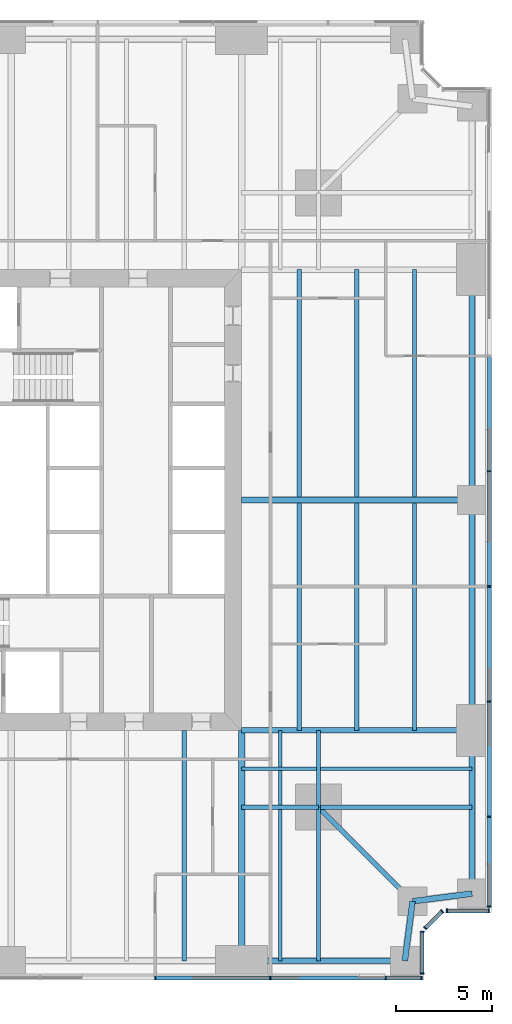
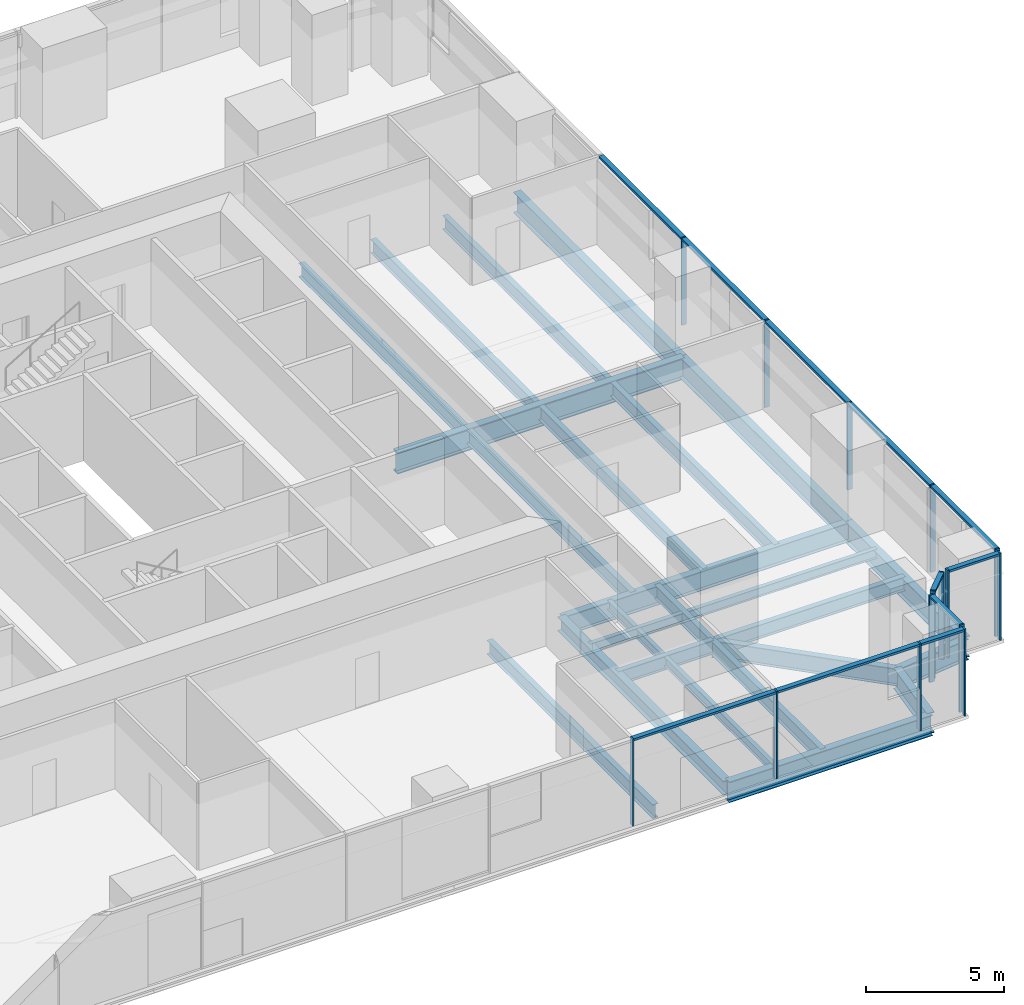
# One storey, part 5 of 13: 26 beams, 26 members, 5 elements without a shape of their own.
"""IFC4 building model written with IfcOpenShell, lengths in metres."""

import ifcopenshell
import ifcopenshell.guid

model = None  # the IFC model being written
_history = None  # IfcOwnerHistory: only IFC2X3 demands one
_inside = {}  # id of a spatial element -> (the spatial element, [elements in it])
_under = {}  # id of a project, library or spatial element -> (it, [spatial elements below it])
_declared = {}  # id of a project -> (the project, [libraries it declares])
_typed = {}  # id of a type object -> (the type object, [elements of that type])
_made_of = {}  # id of a material, layer set ... -> (it, [elements and type objects made of it])


def new_model(schema):
    """Start an empty IFC model of exactly this schema.

    Asked for "IFC4X3", IfcOpenShell would pick the latest addendum, in which some entities
    have other attributes; the version numbers below select the first issue.
    IFC2X3 requires an IfcOwnerHistory on every rooted entity: one is made here for all.
    """
    global model, _history
    if schema == "IFC4X3":
        model = ifcopenshell.file(schema_version=(4, 3, 0, 0))
    else:
        model = ifcopenshell.file(schema=schema)
    _inside.clear()
    _under.clear()
    _declared.clear()
    _typed.clear()
    _made_of.clear()
    _history = None
    if model.schema == "IFC2X3":
        org = make("IfcOrganization", Name="unknown")
        user = make(
            "IfcPersonAndOrganization",
            ThePerson=make("IfcPerson", FamilyName="unknown"),
            TheOrganization=org,
        )
        app = make(
            "IfcApplication",
            ApplicationDeveloper=org,
            Version="unknown",
            ApplicationFullName="unknown",
            ApplicationIdentifier="unknown",
        )
        _history = make(
            "IfcOwnerHistory",
            OwningUser=user,
            OwningApplication=app,
            ChangeAction="ADDED",
            CreationDate=0,
        )
    return model


def make(cls, **values):
    """One entity of the class cls with the attributes given. An attribute that is None is left unset."""
    return model.create_entity(
        cls, **{name: value for name, value in values.items() if value is not None}
    )


def rooted(cls, **values):
    """An entity with a GlobalId (a new one), such as an element, a storey or a relation."""
    return make(cls, GlobalId=ifcopenshell.guid.new(), OwnerHistory=_history, **values)


def si_unit(unit_type, name, prefix=None):
    """IfcSIUnit, for example si_unit("LENGTHUNIT", "METRE", prefix="MILLI")."""
    return make("IfcSIUnit", UnitType=unit_type, Prefix=prefix, Name=name)


def assignment(units):
    """IfcUnitAssignment: the units of a project."""
    return None if units is None else make("IfcUnitAssignment", Units=units)


def point(xyz):
    """IfcCartesianPoint."""
    return None if xyz is None else make("IfcCartesianPoint", Coordinates=xyz)


def direction(xyz):
    """IfcDirection."""
    return None if xyz is None else make("IfcDirection", DirectionRatios=xyz)


def frame(location, z_axis=None, x_axis=None):
    """IfcAxis2Placement3D, a coordinate frame: its origin and axes. An axis left out is left unset."""
    return make(
        "IfcAxis2Placement3D",
        Location=point(location),
        Axis=direction(z_axis),
        RefDirection=direction(x_axis),
    )


def frame_2d(location, x_axis=None):
    """IfcAxis2Placement2D, a coordinate frame in the plane: its origin and x axis."""
    return make(
        "IfcAxis2Placement2D", Location=point(location), RefDirection=direction(x_axis)
    )


def origin():
    """The frame at (0, 0, 0) with its axes left unset."""
    return frame((0.0, 0.0, 0.0))


def origin_2d():
    """The frame at (0, 0) in the plane with its x axis left unset."""
    return frame_2d((0.0, 0.0))


def place(relative_to, where):
    """IfcLocalPlacement: puts the frame where relative to a parent placement (None: the world)."""
    return make(
        "IfcLocalPlacement", PlacementRelTo=relative_to, RelativePlacement=where
    )


def context(
    kind, dimensions, precision=None, world=None, true_north=None, identifier=None
):
    """IfcGeometricRepresentationContext, for example the 3D "Model" context."""
    return make(
        "IfcGeometricRepresentationContext",
        ContextIdentifier=identifier,
        ContextType=kind,
        CoordinateSpaceDimension=dimensions,
        Precision=precision,
        WorldCoordinateSystem=world,
        TrueNorth=true_north,
    )


def subcontext(parent, identifier, kind, view, scale=None):
    """IfcGeometricRepresentationSubContext, for example "Body" below "Model"."""
    return make(
        "IfcGeometricRepresentationSubContext",
        ContextIdentifier=identifier,
        ContextType=kind,
        ParentContext=parent,
        TargetScale=scale,
        TargetView=view,
    )


def project(units=None, contexts=None):
    """IfcProject with its units and contexts."""
    return rooted(
        "IfcProject",
        Name="project",
        RepresentationContexts=contexts,
        UnitsInContext=assignment(units),
    )


def spatial(cls, under=None, at=None, **own):
    """A site, building, storey or space (cls), placed at a placement, below another one or the project."""
    s = rooted(cls, ObjectPlacement=at, **own)
    if under is not None:
        _under.setdefault(under.id(), (under, []))[1].append(s)
    return s


def profile(cls, at=None, kind="AREA", **sizes):
    """A parametric profile (cls). Its sizes go by their IFC names, for example OverallWidth=200.0."""
    return make(cls, ProfileType=kind, Position=at, **sizes)


def rectangle(**sizes):
    """IfcRectangleProfileDef."""
    return profile("IfcRectangleProfileDef", **sizes)


def i_section(**sizes):
    """IfcIShapeProfileDef."""
    return profile("IfcIShapeProfileDef", **sizes)


def extrude(swept, where, along, depth):
    """IfcExtrudedAreaSolid: the profile swept, set in the frame where, extruded along a direction by depth."""
    return make(
        "IfcExtrudedAreaSolid",
        SweptArea=swept,
        Position=where,
        ExtrudedDirection=direction(along),
        Depth=depth,
    )


def shape(context_of_items, identifier, shape_type, items):
    """IfcShapeRepresentation: the items that make up one representation, for example the "Body"."""
    return make(
        "IfcShapeRepresentation",
        ContextOfItems=context_of_items,
        RepresentationIdentifier=identifier,
        RepresentationType=shape_type,
        Items=items,
    )


def material(Name=None, Category=None):
    """IfcMaterial."""
    return make("IfcMaterial", Name=Name, Category=Category)


def material_profile(
    of_material, cross_section, Name=None, Category=None, Priority=None
):
    """IfcMaterialProfile: a cross section and its material."""
    return make(
        "IfcMaterialProfile",
        Name=Name,
        Material=of_material,
        Profile=cross_section,
        Priority=Priority,
        Category=Category,
    )


def profile_set(profiles, Name=None, composite=None):
    """IfcMaterialProfileSet."""
    return make(
        "IfcMaterialProfileSet",
        Name=Name,
        MaterialProfiles=profiles,
        CompositeProfile=composite,
    )


def made_of(thing, what):
    """Note that an element or type object is made of a material, layer set ...; save() writes the relation."""
    if what is not None:
        _made_of.setdefault(what.id(), (what, []))[1].append(thing)
    return thing


def type_object(cls, material=None, **own):
    """A type object (cls), such as IfcWallType, which elements share."""
    return made_of(rooted(cls, **own), material)


def element(
    cls,
    number,
    at=None,
    inside=None,
    cuts=None,
    type_object=None,
    material=None,
    context=None,
    identifier="Body",
    shape_type=None,
    held_by="IfcProductDefinitionShape",
    body=None,
    shapes=None,
    **own,
):
    """One element of the class cls, such as IfcWall. Its Tag is "e" and its number.

    at: its placement. inside: the storey or other place that contains it. cuts: it is an
    opening in that element (IfcRelVoidsElement). A single representation is given by context,
    identifier, shape_type and body (its items); several are given by shapes. held_by: the class
    of the entity that holds the representations. save() writes the other relations.
    """
    e = rooted(cls, Tag="e%d" % number, ObjectPlacement=at, **own)
    if body is not None:
        shapes = [shape(context, identifier, shape_type, body)]
    if shapes is not None:
        e.Representation = make(held_by, Representations=shapes)
    if inside is not None:
        _inside.setdefault(inside.id(), (inside, []))[1].append(e)
    if cuts is not None:
        rooted(
            "IfcRelVoidsElement", RelatingBuildingElement=cuts, RelatedOpeningElement=e
        )
    if type_object is not None:
        _typed.setdefault(type_object.id(), (type_object, []))[1].append(e)
    return made_of(e, material)


def aggregate(whole, parts):
    """IfcRelAggregates: a whole, such as a stair, and the parts it consists of."""
    return rooted("IfcRelAggregates", RelatingObject=whole, RelatedObjects=parts)


def save(model, path):
    """Write the relations noted so far, then the file.

    IfcRelAggregates (storeys below a building ...), IfcRelContainedInSpatialStructure (elements
    in a storey), IfcRelDefinesByType, IfcRelAssociatesMaterial and IfcRelDeclares: one each for
    every whole, place, type object, material and project.
    """
    for whole, parts in _under.values():
        aggregate(whole, parts)
    for where, things in _inside.values():
        rooted(
            "IfcRelContainedInSpatialStructure",
            RelatedElements=things,
            RelatingStructure=where,
        )
    for kind, things in _typed.values():
        rooted("IfcRelDefinesByType", RelatedObjects=things, RelatingType=kind)
    for what, things in _made_of.values():
        rooted("IfcRelAssociatesMaterial", RelatedObjects=things, RelatingMaterial=what)
    for by, libraries in _declared.values():
        rooted("IfcRelDeclares", RelatingContext=by, RelatedDefinitions=libraries)
    model.write(path)


model = new_model("IFC4")

# Units and contexts
model_context = context("Model", 3, precision=1e-05, world=origin(), true_north=direction((0.0, 1.0)))
body_context = subcontext(model_context, "Body", "Model", "MODEL_VIEW")
ifc_project = project(units=[si_unit("LENGTHUNIT", "METRE"), si_unit("AREAUNIT", "SQUARE_METRE"), si_unit("VOLUMEUNIT", "CUBIC_METRE"), si_unit("PLANEANGLEUNIT", "RADIAN"), si_unit("MASSUNIT", "GRAM", prefix="KILO")], contexts=[model_context])

# Site, building, storey
site_placement = place(None, origin())
site = spatial("IfcSite", under=ifc_project, at=site_placement, CompositionType="ELEMENT")
building_placement = place(site_placement, origin())
building = spatial("IfcBuilding", under=site, at=building_placement, Name="Fenwick Lantern Interchange", CompositionType="ELEMENT")
storey_placement = place(building_placement, frame((0.0, 0.0, 47.0)))
storey = spatial("IfcBuildingStorey", under=building, at=storey_placement, Name="L10", CompositionType="ELEMENT", Elevation=47.0)

# Beams
ifc_material_1 = material(Name="Steel ASTM A992 Grade 50", Category="steel")
ifc_material_profile_1 = material_profile(ifc_material_1, i_section(OverallWidth=0.3046875, OverallDepth=0.911865234375, WebThickness=0.015869140625, FlangeThickness=0.02392578125, at=origin_2d()), Name="W36X150")
ifc_profile_set_1 = profile_set([ifc_material_profile_1], Name="Steel ASTM A992 Grade 50")
beam_type_1 = type_object("IfcBeamType", Name="EDGE BEAM W36X150", PredefinedType="SPANDREL", material=ifc_profile_set_1)
beam_1_placement = place(storey_placement, frame((37.0, 1.0, -0.60595703125), z_axis=(1.0, 0.0, 0.0), x_axis=(0.0, 1.0, 0.0)))
element("IfcBeam", 1, at=beam_1_placement, inside=storey, type_object=beam_type_1, Name="L10/FR/S/EB4", PredefinedType="SPANDREL", context=body_context, shape_type="SweptSolid", body=[
    extrude(i_section(OverallWidth=0.3046875, OverallDepth=0.911865234375, WebThickness=0.015869140625, FlangeThickness=0.02392578125, at=origin_2d()), origin(), (0.0, 0.0, 1.0), 8.5),
])
for number, where, z_axis, x_axis, name in (
    (2, (45.5, 1.0, -0.60595703125), (0.127936641807, 0.991782342897, 0.0), (-0.991782342897, 0.127936641807, 0.0), "L10/FR/S/EBR1"),
    (3, (45.89990234375, 4.10009765625, -0.60595703125), (0.991782342897, 0.127936641807, 0.0), (-0.127936641807, 0.991782342897, 0.0), "L10/FR/S/EBR2"),
):
    element("IfcBeam", number, at=place(storey_placement, frame(where, z_axis=z_axis, x_axis=x_axis)), inside=storey, type_object=beam_type_1, Name=name, PredefinedType="SPANDREL", context=body_context, shape_type="SweptSolid", body=[
        extrude(i_section(OverallWidth=0.3046875, OverallDepth=0.911865234375, WebThickness=0.015869140625, FlangeThickness=0.02392578125, at=origin_2d()), origin(), (0.0, 0.0, 1.0), 3.125732421875),
    ])
beam_2_placement = place(storey_placement, frame((49.0, 4.5, -0.60595703125), z_axis=(0.0, 1.0, 0.0), x_axis=(-1.0, 0.0, 0.0)))
element("IfcBeam", 4, at=beam_2_placement, inside=storey, type_object=beam_type_1, Name="L10/FR/E/EB1", PredefinedType="SPANDREL", context=body_context, shape_type="SweptSolid", body=[
    extrude(i_section(OverallWidth=0.3046875, OverallDepth=0.911865234375, WebThickness=0.015869140625, FlangeThickness=0.02392578125, at=origin_2d()), origin(), (0.0, 0.0, 1.0), 8.5),
])
for number, where, z_axis, x_axis, name in (
    (5, (49.0, 13.0, -0.60595703125), (0.0, 1.0, 0.0), (-1.0, 0.0, 0.0), "L10/FR/E/EB2"),
    (6, (49.0, 25.0, -0.60595703125), (0.0, 1.0, 0.0), (-1.0, 0.0, 0.0), "L10/FR/E/EB3"),
):
    element("IfcBeam", number, at=place(storey_placement, frame(where, z_axis=z_axis, x_axis=x_axis)), inside=storey, type_object=beam_type_1, Name=name, PredefinedType="SPANDREL", context=body_context, shape_type="SweptSolid", body=[
        extrude(i_section(OverallWidth=0.3046875, OverallDepth=0.911865234375, WebThickness=0.015869140625, FlangeThickness=0.02392578125, at=origin_2d()), origin(), (0.0, 0.0, 1.0), 12.0),
    ])
ifc_material_profile_2 = material_profile(ifc_material_1, i_section(OverallWidth=0.22900390625, OverallDepth=0.612060546875, WebThickness=0.011962890625, FlangeThickness=0.01953125, at=origin_2d()), Name="W24X84")
ifc_profile_set_2 = profile_set([ifc_material_profile_2], Name="Steel ASTM A992 Grade 50")
beam_type_2 = type_object("IfcBeamType", Name="FLOOR BEAM W24X84", PredefinedType="BEAM", material=ifc_profile_set_2)
beam_3_placement = place(storey_placement, frame((34.0, 1.0, -0.4560546875), z_axis=(0.0, 1.0, 0.0), x_axis=(-1.0, 0.0, 0.0)))
element("IfcBeam", 7, at=beam_3_placement, inside=storey, type_object=beam_type_2, Name="L10/FR/S/R08", PredefinedType="BEAM", context=body_context, shape_type="SweptSolid", body=[
    extrude(i_section(OverallWidth=0.22900390625, OverallDepth=0.612060546875, WebThickness=0.011962890625, FlangeThickness=0.01953125, at=origin_2d()), origin(), (0.0, 0.0, 1.0), 12.0),
])
for number, where, z_axis, x_axis, name in (
    (8, (46.0, 13.0, -0.4560546875), (0.0, 1.0, 0.0), (-1.0, 0.0, 0.0), "L10/FR/E/B01"),
    (9, (43.0, 13.0, -0.4560546875), (0.0, 1.0, 0.0), (-1.0, 0.0, 0.0), "L10/FR/E/B02"),
    (10, (40.0, 13.0, -0.4560546875), (0.0, 1.0, 0.0), (-1.0, 0.0, 0.0), "L10/FR/E/B03"),
    (11, (46.0, 25.155029296875, -0.4560546875), (0.0, 1.0, 0.0), (-1.0, 0.0, 0.0), "L10/FR/E/B04"),
    (12, (43.0, 25.155029296875, -0.4560546875), (0.0, 1.0, 0.0), (-1.0, 0.0, 0.0), "L10/FR/E/B05"),
    (13, (40.0, 25.155029296875, -0.4560546875), (0.0, 1.0, 0.0), (-1.0, 0.0, 0.0), "L10/FR/E/B06"),
):
    element("IfcBeam", number, at=place(storey_placement, frame(where, z_axis=z_axis, x_axis=x_axis)), inside=storey, type_object=beam_type_2, Name=name, PredefinedType="BEAM", context=body_context, shape_type="SweptSolid", body=[
        extrude(i_section(OverallWidth=0.22900390625, OverallDepth=0.612060546875, WebThickness=0.011962890625, FlangeThickness=0.01953125, at=origin_2d()), origin(), (0.0, 0.0, 1.0), 11.844970703125),
    ])
ifc_material_profile_3 = material_profile(ifc_material_1, i_section(OverallWidth=0.177734375, OverallDepth=0.406494140625, WebThickness=0.0078125, FlangeThickness=0.012939453125, at=origin_2d()), Name="W16X40")
ifc_profile_set_3 = profile_set([ifc_material_profile_3], Name="Steel ASTM A992 Grade 50")
beam_type_3 = type_object("IfcBeamType", Name="INFILL BEAM W16X40", PredefinedType="JOIST", material=ifc_profile_set_3)
beam_4_placement = place(storey_placement, frame((49.0, 11.0, -0.353271484375), z_axis=(-1.0, 0.0, 0.0), x_axis=(0.0, -1.0, 0.0)))
element("IfcBeam", 14, at=beam_4_placement, inside=storey, type_object=beam_type_3, Name="L10/FR/E/J1", PredefinedType="JOIST", context=body_context, shape_type="SweptSolid", body=[
    extrude(i_section(OverallWidth=0.177734375, OverallDepth=0.406494140625, WebThickness=0.0078125, FlangeThickness=0.012939453125, at=origin_2d()), origin(), (0.0, 0.0, 1.0), 7.885498046875),
])
beam_5_placement = place(storey_placement, frame((40.885498046875, 11.0, -0.353271484375), z_axis=(-1.0, 0.0, 0.0), x_axis=(0.0, -1.0, 0.0)))
element("IfcBeam", 15, at=beam_5_placement, inside=storey, type_object=beam_type_3, Name="L10/FR/E/J2", PredefinedType="JOIST", context=body_context, shape_type="SweptSolid", body=[
    extrude(i_section(OverallWidth=0.177734375, OverallDepth=0.406494140625, WebThickness=0.0078125, FlangeThickness=0.012939453125, at=origin_2d()), origin(), (0.0, 0.0, 1.0), 3.885498046875),
])
beam_6_placement = place(storey_placement, frame((39.0, 1.0, -0.353271484375), z_axis=(0.0, 1.0, 0.0), x_axis=(-1.0, 0.0, 0.0)))
element("IfcBeam", 16, at=beam_6_placement, inside=storey, type_object=beam_type_3, Name="L10/FR/E/J3", PredefinedType="JOIST", context=body_context, shape_type="SweptSolid", body=[
    extrude(i_section(OverallWidth=0.177734375, OverallDepth=0.406494140625, WebThickness=0.0078125, FlangeThickness=0.012939453125, at=origin_2d()), origin(), (0.0, 0.0, 1.0), 7.885498046875),
])
beam_7_placement = place(storey_placement, frame((39.0, 9.114501953125, -0.353271484375), z_axis=(0.0, 1.0, 0.0), x_axis=(-1.0, 0.0, 0.0)))
element("IfcBeam", 17, at=beam_7_placement, inside=storey, type_object=beam_type_3, Name="L10/FR/E/J4", PredefinedType="JOIST", context=body_context, shape_type="SweptSolid", body=[
    extrude(i_section(OverallWidth=0.177734375, OverallDepth=0.406494140625, WebThickness=0.0078125, FlangeThickness=0.012939453125, at=origin_2d()), origin(), (0.0, 0.0, 1.0), 1.796630859375),
])
beam_8_placement = place(storey_placement, frame((39.0, 11.0888671875, -0.353271484375), z_axis=(0.0, 1.0, 0.0), x_axis=(-1.0, 0.0, 0.0)))
element("IfcBeam", 18, at=beam_8_placement, inside=storey, type_object=beam_type_3, Name="L10/FR/E/J5", PredefinedType="JOIST", context=body_context, shape_type="SweptSolid", body=[
    extrude(i_section(OverallWidth=0.177734375, OverallDepth=0.406494140625, WebThickness=0.0078125, FlangeThickness=0.012939453125, at=origin_2d()), origin(), (0.0, 0.0, 1.0), 1.9111328125),
])
ifc_material_profile_4 = material_profile(ifc_material_1, i_section(OverallWidth=0.22900390625, OverallDepth=0.612060546875, WebThickness=0.011962890625, FlangeThickness=0.01953125, at=origin_2d()), Name="W24X84")
ifc_profile_set_4 = profile_set([ifc_material_profile_4], Name="Steel ASTM A992 Grade 50")
beam_type_4 = type_object("IfcBeamType", Name="MEGA COLUMN BEAM W24X84", PredefinedType="BEAM", material=ifc_profile_set_4)
for number, where, z_axis, x_axis, name in (
    (19, (41.0, 9.0, -0.4560546875), (1.0, 0.0, 0.0), (0.0, 1.0, 0.0), "L10/FR/E/MB1"),
    (20, (41.0, 9.0, -0.4560546875), (0.0, -1.0, 0.0), (1.0, 0.0, 0.0), "L10/FR/E/MB2"),
):
    element("IfcBeam", number, at=place(storey_placement, frame(where, z_axis=z_axis, x_axis=x_axis)), inside=storey, type_object=beam_type_4, Name=name, PredefinedType="BEAM", context=body_context, shape_type="SweptSolid", body=[
        extrude(i_section(OverallWidth=0.22900390625, OverallDepth=0.612060546875, WebThickness=0.011962890625, FlangeThickness=0.01953125, at=origin_2d()), origin(), (0.0, 0.0, 1.0), 8.0),
    ])
for number, where, z_axis, x_axis, name in (
    (21, (41.0, 9.0, -0.4560546875), (0.0, 1.0, 0.0), (-1.0, 0.0, 0.0), "L10/FR/E/MB3"),
    (22, (41.0, 9.0, -0.4560546875), (-1.0, 0.0, 0.0), (0.0, -1.0, 0.0), "L10/FR/E/MB4"),
):
    element("IfcBeam", number, at=place(storey_placement, frame(where, z_axis=z_axis, x_axis=x_axis)), inside=storey, type_object=beam_type_4, Name=name, PredefinedType="BEAM", context=body_context, shape_type="SweptSolid", body=[
        extrude(i_section(OverallWidth=0.22900390625, OverallDepth=0.612060546875, WebThickness=0.011962890625, FlangeThickness=0.01953125, at=origin_2d()), origin(), (0.0, 0.0, 1.0), 4.0),
    ])
ifc_material_profile_5 = material_profile(ifc_material_1, i_section(OverallWidth=0.32763671875, OverallDepth=0.622314453125, WebThickness=0.015380859375, FlangeThickness=0.0244140625, at=origin_2d()), Name="W24X131")
ifc_profile_set_5 = profile_set([ifc_material_profile_5], Name="Steel ASTM A992 Grade 50")
beam_type_5 = type_object("IfcBeamType", Name="MOMENT-CONNECTED GIRDER W24X131", PredefinedType="BEAM", material=ifc_profile_set_5)
beam_9_placement = place(storey_placement, frame((37.0, 1.0, -0.461181640625), z_axis=(0.0, 1.0, 0.0), x_axis=(-1.0, 0.0, 0.0)))
element("IfcBeam", 23, at=beam_9_placement, inside=storey, type_object=beam_type_5, Name="L10/FR/S/R09", PredefinedType="BEAM", context=body_context, shape_type="SweptSolid", body=[
    extrude(i_section(OverallWidth=0.32763671875, OverallDepth=0.622314453125, WebThickness=0.015380859375, FlangeThickness=0.0244140625, at=origin_2d()), origin(), (0.0, 0.0, 1.0), 12.0),
])
ifc_material_profile_6 = material_profile(ifc_material_1, i_section(OverallWidth=0.2919921875, OverallDepth=0.845703125, WebThickness=0.015380859375, FlangeThickness=0.0244140625, at=origin_2d()), Name="W33X141")
ifc_profile_set_6 = profile_set([ifc_material_profile_6], Name="Steel ASTM A992 Grade 50")
beam_type_6 = type_object("IfcBeamType", Name="MOMENT-CONNECTED GIRDER W33X141", PredefinedType="BEAM", material=ifc_profile_set_6)
beam_10_placement = place(storey_placement, frame((49.0, 13.0, -0.572998046875), z_axis=(-1.0, 0.0, 0.0), x_axis=(0.0, -1.0, 0.0)))
element("IfcBeam", 24, at=beam_10_placement, inside=storey, type_object=beam_type_6, Name="L10/FR/E/R01", PredefinedType="BEAM", context=body_context, shape_type="SweptSolid", body=[
    extrude(i_section(OverallWidth=0.2919921875, OverallDepth=0.845703125, WebThickness=0.015380859375, FlangeThickness=0.0244140625, at=origin_2d()), origin(), (0.0, 0.0, 1.0), 12.0),
])
ifc_material_profile_7 = material_profile(ifc_material_1, i_section(OverallWidth=0.309814453125, OverallDepth=0.949951171875, WebThickness=0.0244140625, FlangeThickness=0.0439453125, at=origin_2d()), Name="W36X256")
ifc_profile_set_7 = profile_set([ifc_material_profile_7], Name="Steel ASTM A992 Grade 50")
beam_type_7 = type_object("IfcBeamType", Name="MOMENT-CONNECTED GIRDER W36X256", PredefinedType="BEAM", material=ifc_profile_set_7)
beam_11_placement = place(storey_placement, frame((49.0, 25.0, -0.625), z_axis=(-1.0, 0.0, 0.0), x_axis=(0.0, -1.0, 0.0)))
element("IfcBeam", 25, at=beam_11_placement, inside=storey, type_object=beam_type_7, Name="L10/FR/E/R02", PredefinedType="BEAM", context=body_context, shape_type="SweptSolid", body=[
    extrude(i_section(OverallWidth=0.309814453125, OverallDepth=0.949951171875, WebThickness=0.0244140625, FlangeThickness=0.0439453125, at=origin_2d()), origin(), (0.0, 0.0, 1.0), 12.0),
])
ifc_material_profile_8 = material_profile(ifc_material_1, i_section(OverallWidth=0.2666015625, OverallDepth=0.7568359375, WebThickness=0.013916015625, FlangeThickness=0.019287109375, at=origin_2d()), Name="W30X108")
ifc_profile_set_8 = profile_set([ifc_material_profile_8], Name="Steel ASTM A992 Grade 50")
beam_type_8 = type_object("IfcBeamType", Name="NOTCH BEAM W30X108", PredefinedType="BEAM", material=ifc_profile_set_8)
beam_12_placement = place(storey_placement, frame((41.0, 9.0, -0.528564453125), z_axis=(0.707106781187, -0.707106781187, 0.0), x_axis=(0.707106781187, 0.707106781187, 0.0)))
element("IfcBeam", 26, at=beam_12_placement, inside=storey, type_object=beam_type_8, Name="L10/FR/E/TG", PredefinedType="BEAM", context=body_context, shape_type="SweptSolid", body=[
    extrude(i_section(OverallWidth=0.2666015625, OverallDepth=0.7568359375, WebThickness=0.013916015625, FlangeThickness=0.019287109375, at=origin_2d()), origin(), (0.0, 0.0, 1.0), 6.929443359375),
])

# Curtain wall, members
ifc_material_2 = material(Name="Aluminium curtain wall frame", Category="aluminium")
curtain_wall_type = type_object("IfcCurtainWallType", Name="OFFICE CURTAIN WALL", PredefinedType="USERDEFINED", material=ifc_material_2)
curtain_wall_1_placement = place(storey_placement, origin())
curtain_wall_1 = element("IfcCurtainWall", 27, at=curtain_wall_1_placement, inside=storey, type_object=curtain_wall_type, Name="Office curtain wall 01", ObjectType="OFFICE CURTAIN WALL", PredefinedType="USERDEFINED")
ifc_material_3 = material(Name="Aluminium extrusion", Category="aluminium")
ifc_material_profile_9 = material_profile(ifc_material_3, rectangle(XDim=0.199951171875, YDim=0.06494140625, at=origin_2d()), Name="OFFICE CURTAIN WALL MULLION 65 X 200")
ifc_profile_set_9 = profile_set([ifc_material_profile_9], Name="Aluminium extrusion")
member_type_1 = type_object("IfcMemberType", Name="OFFICE CURTAIN WALL MULLION 65 X 200", PredefinedType="MULLION", material=ifc_profile_set_9)
member_1_placement = place(storey_placement, frame((32.5, 0.10009765625, 0.0), z_axis=(0.0, 0.0, 1.0), x_axis=(0.0, 1.0, 0.0)))
member_1 = element("IfcMember", 28, at=member_1_placement, type_object=member_type_1, Name="L10/CW/01/M05", PredefinedType="MULLION", context=body_context, shape_type="SweptSolid", body=[
    extrude(rectangle(XDim=0.199951171875, YDim=0.06494140625, at=origin_2d()), origin(), (0.0, 0.0, 1.0), 3.85009765625),
])
member_2_placement = place(storey_placement, frame((38.5, 0.10009765625, 0.0), z_axis=(0.0, 0.0, 1.0), x_axis=(0.0, 1.0, 0.0)))
member_2 = element("IfcMember", 29, at=member_2_placement, type_object=member_type_1, Name="L10/CW/01/M06", PredefinedType="MULLION", context=body_context, shape_type="SweptSolid", body=[
    extrude(rectangle(XDim=0.199951171875, YDim=0.06494140625, at=origin_2d()), origin(), (0.0, 0.0, 1.0), 3.85009765625),
])
member_3_placement = place(storey_placement, frame((44.5, 0.10009765625, 0.0), z_axis=(0.0, 0.0, 1.0), x_axis=(0.0, 1.0, 0.0)))
member_3 = element("IfcMember", 30, at=member_3_placement, type_object=member_type_1, Name="L10/CW/01/M07", PredefinedType="MULLION", context=body_context, shape_type="SweptSolid", body=[
    extrude(rectangle(XDim=0.199951171875, YDim=0.06494140625, at=origin_2d()), origin(), (0.0, 0.0, 1.0), 3.85009765625),
])
member_4_placement = place(storey_placement, frame((46.367431640625, 0.10009765625, 0.0), z_axis=(0.0, 0.0, 1.0), x_axis=(0.0, 1.0, 0.0)))
member_4 = element("IfcMember", 31, at=member_4_placement, type_object=member_type_1, Name="L10/CW/01/M08", PredefinedType="MULLION", context=body_context, shape_type="SweptSolid", body=[
    extrude(rectangle(XDim=0.199951171875, YDim=0.06494140625, at=origin_2d()), origin(), (0.0, 0.0, 1.0), 3.85009765625),
])

curtain_wall_2_placement = place(storey_placement, origin())
curtain_wall_2 = element("IfcCurtainWall", 32, at=curtain_wall_2_placement, inside=storey, type_object=curtain_wall_type, Name="Office curtain wall 02", ObjectType="OFFICE CURTAIN WALL", PredefinedType="USERDEFINED")
member_5_placement = place(storey_placement, frame((46.39990234375, 0.33251953125, 0.0), z_axis=(0.0, 0.0, 1.0), x_axis=(-1.0, 0.0, 0.0)))
member_5 = element("IfcMember", 33, at=member_5_placement, type_object=member_type_1, Name="L10/CW/02/M00", PredefinedType="MULLION", context=body_context, shape_type="SweptSolid", body=[
    extrude(rectangle(XDim=0.199951171875, YDim=0.06494140625, at=origin_2d()), origin(), (0.0, 0.0, 1.0), 3.85009765625),
])
member_6_placement = place(storey_placement, frame((46.39990234375, 2.509033203125, 0.0), z_axis=(0.0, 0.0, 1.0), x_axis=(-1.0, 0.0, 0.0)))
member_6 = element("IfcMember", 34, at=member_6_placement, type_object=member_type_1, Name="L10/CW/02/M01", PredefinedType="MULLION", context=body_context, shape_type="SweptSolid", body=[
    extrude(rectangle(XDim=0.199951171875, YDim=0.06494140625, at=origin_2d()), origin(), (0.0, 0.0, 1.0), 3.85009765625),
])

curtain_wall_3_placement = place(storey_placement, origin())
curtain_wall_3 = element("IfcCurtainWall", 35, at=curtain_wall_3_placement, inside=storey, type_object=curtain_wall_type, Name="Office curtain wall 03", ObjectType="OFFICE CURTAIN WALL", PredefinedType="USERDEFINED")
member_7_placement = place(storey_placement, frame((46.564453125, 2.705810546875, 0.0), z_axis=(0.0, 0.0, 1.0), x_axis=(-0.707106781187, 0.707106781187, 0.0)))
member_7 = element("IfcMember", 36, at=member_7_placement, type_object=member_type_1, Name="L10/CW/03/M00", PredefinedType="MULLION", context=body_context, shape_type="SweptSolid", body=[
    extrude(rectangle(XDim=0.199951171875, YDim=0.06494140625, at=origin_2d()), origin(), (0.0, 0.0, 1.0), 3.85009765625),
])
member_8_placement = place(storey_placement, frame((47.435546875, 3.576904296875, 0.0), z_axis=(0.0, 0.0, 1.0), x_axis=(-0.707106781187, 0.707106781187, 0.0)))
member_8 = element("IfcMember", 37, at=member_8_placement, type_object=member_type_1, Name="L10/CW/03/M01", PredefinedType="MULLION", context=body_context, shape_type="SweptSolid", body=[
    extrude(rectangle(XDim=0.199951171875, YDim=0.06494140625, at=origin_2d()), origin(), (0.0, 0.0, 1.0), 3.85009765625),
])

curtain_wall_4_placement = place(storey_placement, origin())
curtain_wall_4 = element("IfcCurtainWall", 38, at=curtain_wall_4_placement, inside=storey, type_object=curtain_wall_type, Name="Office curtain wall 04", ObjectType="OFFICE CURTAIN WALL", PredefinedType="USERDEFINED")
member_9_placement = place(storey_placement, frame((47.691162109375, 3.60009765625, 0.0), z_axis=(0.0, 0.0, 1.0), x_axis=(0.0, 1.0, 0.0)))
member_9 = element("IfcMember", 39, at=member_9_placement, type_object=member_type_1, Name="L10/CW/04/M00", PredefinedType="MULLION", context=body_context, shape_type="SweptSolid", body=[
    extrude(rectangle(XDim=0.199951171875, YDim=0.06494140625, at=origin_2d()), origin(), (0.0, 0.0, 1.0), 3.85009765625),
])
member_10_placement = place(storey_placement, frame((49.867431640625, 3.60009765625, 0.0), z_axis=(0.0, 0.0, 1.0), x_axis=(0.0, 1.0, 0.0)))
member_10 = element("IfcMember", 40, at=member_10_placement, type_object=member_type_1, Name="L10/CW/04/M01", PredefinedType="MULLION", context=body_context, shape_type="SweptSolid", body=[
    extrude(rectangle(XDim=0.199951171875, YDim=0.06494140625, at=origin_2d()), origin(), (0.0, 0.0, 1.0), 3.85009765625),
])

curtain_wall_5_placement = place(storey_placement, origin())
curtain_wall_5 = element("IfcCurtainWall", 41, at=curtain_wall_5_placement, inside=storey, type_object=curtain_wall_type, Name="Office curtain wall 05", ObjectType="OFFICE CURTAIN WALL", PredefinedType="USERDEFINED")
member_11_placement = place(storey_placement, frame((49.89990234375, 3.83251953125, 0.0), z_axis=(0.0, 0.0, 1.0), x_axis=(-1.0, 0.0, 0.0)))
member_11 = element("IfcMember", 42, at=member_11_placement, type_object=member_type_1, Name="L10/CW/05/M00", PredefinedType="MULLION", context=body_context, shape_type="SweptSolid", body=[
    extrude(rectangle(XDim=0.199951171875, YDim=0.06494140625, at=origin_2d()), origin(), (0.0, 0.0, 1.0), 3.85009765625),
])
member_12_placement = place(storey_placement, frame((49.89990234375, 8.5, 0.0), z_axis=(0.0, 0.0, 1.0), x_axis=(-1.0, 0.0, 0.0)))
member_12 = element("IfcMember", 43, at=member_12_placement, type_object=member_type_1, Name="L10/CW/05/M01", PredefinedType="MULLION", context=body_context, shape_type="SweptSolid", body=[
    extrude(rectangle(XDim=0.199951171875, YDim=0.06494140625, at=origin_2d()), origin(), (0.0, 0.0, 1.0), 3.85009765625),
])
member_13_placement = place(storey_placement, frame((49.89990234375, 14.5, 0.0), z_axis=(0.0, 0.0, 1.0), x_axis=(-1.0, 0.0, 0.0)))
member_13 = element("IfcMember", 44, at=member_13_placement, type_object=member_type_1, Name="L10/CW/05/M02", PredefinedType="MULLION", context=body_context, shape_type="SweptSolid", body=[
    extrude(rectangle(XDim=0.199951171875, YDim=0.06494140625, at=origin_2d()), origin(), (0.0, 0.0, 1.0), 3.85009765625),
])
member_14_placement = place(storey_placement, frame((49.89990234375, 20.5, 0.0), z_axis=(0.0, 0.0, 1.0), x_axis=(-1.0, 0.0, 0.0)))
member_14 = element("IfcMember", 45, at=member_14_placement, type_object=member_type_1, Name="L10/CW/05/M03", PredefinedType="MULLION", context=body_context, shape_type="SweptSolid", body=[
    extrude(rectangle(XDim=0.199951171875, YDim=0.06494140625, at=origin_2d()), origin(), (0.0, 0.0, 1.0), 3.85009765625),
])
member_15_placement = place(storey_placement, frame((49.89990234375, 26.5, 0.0), z_axis=(0.0, 0.0, 1.0), x_axis=(-1.0, 0.0, 0.0)))
member_15 = element("IfcMember", 46, at=member_15_placement, type_object=member_type_1, Name="L10/CW/05/M04", PredefinedType="MULLION", context=body_context, shape_type="SweptSolid", body=[
    extrude(rectangle(XDim=0.199951171875, YDim=0.06494140625, at=origin_2d()), origin(), (0.0, 0.0, 1.0), 3.85009765625),
])

# Member
ifc_material_profile_10 = material_profile(ifc_material_3, rectangle(XDim=0.199951171875, YDim=0.10009765625, at=origin_2d()), Name="OFFICE CURTAIN WALL TRANSOM 100 X 200")
ifc_profile_set_10 = profile_set([ifc_material_profile_10], Name="Aluminium extrusion")
member_type_2 = type_object("IfcMemberType", Name="OFFICE CURTAIN WALL TRANSOM 100 X 200", PredefinedType="MULLION", material=ifc_profile_set_10)
member_16_placement = place(storey_placement, frame((32.532470703125, 0.10009765625, 3.800048828125), z_axis=(1.0, 0.0, 0.0), x_axis=(0.0, 1.0, 0.0)))
member_16 = element("IfcMember", 47, at=member_16_placement, type_object=member_type_2, Name="L10/CW/01/T05", PredefinedType="MULLION", context=body_context, shape_type="SweptSolid", body=[
    extrude(rectangle(XDim=0.199951171875, YDim=0.10009765625, at=origin_2d()), origin(), (0.0, 0.0, 1.0), 5.93505859375),
])

member_17_placement = place(storey_placement, frame((38.532470703125, 0.10009765625, 3.800048828125), z_axis=(1.0, 0.0, 0.0), x_axis=(0.0, 1.0, 0.0)))
member_17 = element("IfcMember", 48, at=member_17_placement, type_object=member_type_2, Name="L10/CW/01/T06", PredefinedType="MULLION", context=body_context, shape_type="SweptSolid", body=[
    extrude(rectangle(XDim=0.199951171875, YDim=0.10009765625, at=origin_2d()), origin(), (0.0, 0.0, 1.0), 5.93505859375),
])

member_18_placement = place(storey_placement, frame((44.532470703125, 0.10009765625, 3.800048828125), z_axis=(1.0, 0.0, 0.0), x_axis=(0.0, 1.0, 0.0)))
member_18 = element("IfcMember", 49, at=member_18_placement, type_object=member_type_2, Name="L10/CW/01/T07", PredefinedType="MULLION", context=body_context, shape_type="SweptSolid", body=[
    extrude(rectangle(XDim=0.199951171875, YDim=0.10009765625, at=origin_2d()), origin(), (0.0, 0.0, 1.0), 1.802490234375),
])

aggregate(curtain_wall_1, [member_1, member_2, member_3, member_4, member_16, member_17, member_18])

member_19_placement = place(storey_placement, frame((46.39990234375, 0.364990234375, 3.800048828125), z_axis=(0.0, 1.0, 0.0), x_axis=(-1.0, 0.0, 0.0)))
member_19 = element("IfcMember", 50, at=member_19_placement, type_object=member_type_2, Name="L10/CW/02/T00", PredefinedType="MULLION", context=body_context, shape_type="SweptSolid", body=[
    extrude(rectangle(XDim=0.199951171875, YDim=0.10009765625, at=origin_2d()), origin(), (0.0, 0.0, 1.0), 2.111328125),
])

aggregate(curtain_wall_2, [member_5, member_6, member_19])

member_20_placement = place(storey_placement, frame((46.58740234375, 2.728759765625, 3.800048828125), z_axis=(0.707106781187, 0.707106781187, 0.0), x_axis=(-0.707106781187, 0.707106781187, 0.0)))
member_20 = element("IfcMember", 51, at=member_20_placement, type_object=member_type_2, Name="L10/CW/03/T00", PredefinedType="MULLION", context=body_context, shape_type="SweptSolid", body=[
    extrude(rectangle(XDim=0.199951171875, YDim=0.10009765625, at=origin_2d()), origin(), (0.0, 0.0, 1.0), 1.1669921875),
])

aggregate(curtain_wall_3, [member_7, member_8, member_20])

member_21_placement = place(storey_placement, frame((47.7236328125, 3.60009765625, 3.800048828125), z_axis=(1.0, 0.0, 0.0), x_axis=(0.0, 1.0, 0.0)))
member_21 = element("IfcMember", 52, at=member_21_placement, type_object=member_type_2, Name="L10/CW/04/T00", PredefinedType="MULLION", context=body_context, shape_type="SweptSolid", body=[
    extrude(rectangle(XDim=0.199951171875, YDim=0.10009765625, at=origin_2d()), origin(), (0.0, 0.0, 1.0), 2.111328125),
])

aggregate(curtain_wall_4, [member_9, member_10, member_21])

member_22_placement = place(storey_placement, frame((49.89990234375, 3.864990234375, 3.800048828125), z_axis=(0.0, 1.0, 0.0), x_axis=(-1.0, 0.0, 0.0)))
member_22 = element("IfcMember", 53, at=member_22_placement, type_object=member_type_2, Name="L10/CW/05/T00", PredefinedType="MULLION", context=body_context, shape_type="SweptSolid", body=[
    extrude(rectangle(XDim=0.199951171875, YDim=0.10009765625, at=origin_2d()), origin(), (0.0, 0.0, 1.0), 4.6025390625),
])

member_23_placement = place(storey_placement, frame((49.89990234375, 8.532470703125, 3.800048828125), z_axis=(0.0, 1.0, 0.0), x_axis=(-1.0, 0.0, 0.0)))
member_23 = element("IfcMember", 54, at=member_23_placement, type_object=member_type_2, Name="L10/CW/05/T01", PredefinedType="MULLION", context=body_context, shape_type="SweptSolid", body=[
    extrude(rectangle(XDim=0.199951171875, YDim=0.10009765625, at=origin_2d()), origin(), (0.0, 0.0, 1.0), 5.93505859375),
])

member_24_placement = place(storey_placement, frame((49.89990234375, 14.532470703125, 3.800048828125), z_axis=(0.0, 1.0, 0.0), x_axis=(-1.0, 0.0, 0.0)))
member_24 = element("IfcMember", 55, at=member_24_placement, type_object=member_type_2, Name="L10/CW/05/T02", PredefinedType="MULLION", context=body_context, shape_type="SweptSolid", body=[
    extrude(rectangle(XDim=0.199951171875, YDim=0.10009765625, at=origin_2d()), origin(), (0.0, 0.0, 1.0), 5.93505859375),
])

member_25_placement = place(storey_placement, frame((49.89990234375, 20.532470703125, 3.800048828125), z_axis=(0.0, 1.0, 0.0), x_axis=(-1.0, 0.0, 0.0)))
member_25 = element("IfcMember", 56, at=member_25_placement, type_object=member_type_2, Name="L10/CW/05/T03", PredefinedType="MULLION", context=body_context, shape_type="SweptSolid", body=[
    extrude(rectangle(XDim=0.199951171875, YDim=0.10009765625, at=origin_2d()), origin(), (0.0, 0.0, 1.0), 5.93505859375),
])

member_26_placement = place(storey_placement, frame((49.89990234375, 26.532470703125, 3.800048828125), z_axis=(0.0, 1.0, 0.0), x_axis=(-1.0, 0.0, 0.0)))
member_26 = element("IfcMember", 57, at=member_26_placement, type_object=member_type_2, Name="L10/CW/05/T04", PredefinedType="MULLION", context=body_context, shape_type="SweptSolid", body=[
    extrude(rectangle(XDim=0.199951171875, YDim=0.10009765625, at=origin_2d()), origin(), (0.0, 0.0, 1.0), 5.93505859375),
])

aggregate(curtain_wall_5, [member_11, member_12, member_13, member_14, member_15, member_22, member_23, member_24, member_25, member_26])

save(model, "model.ifc")
